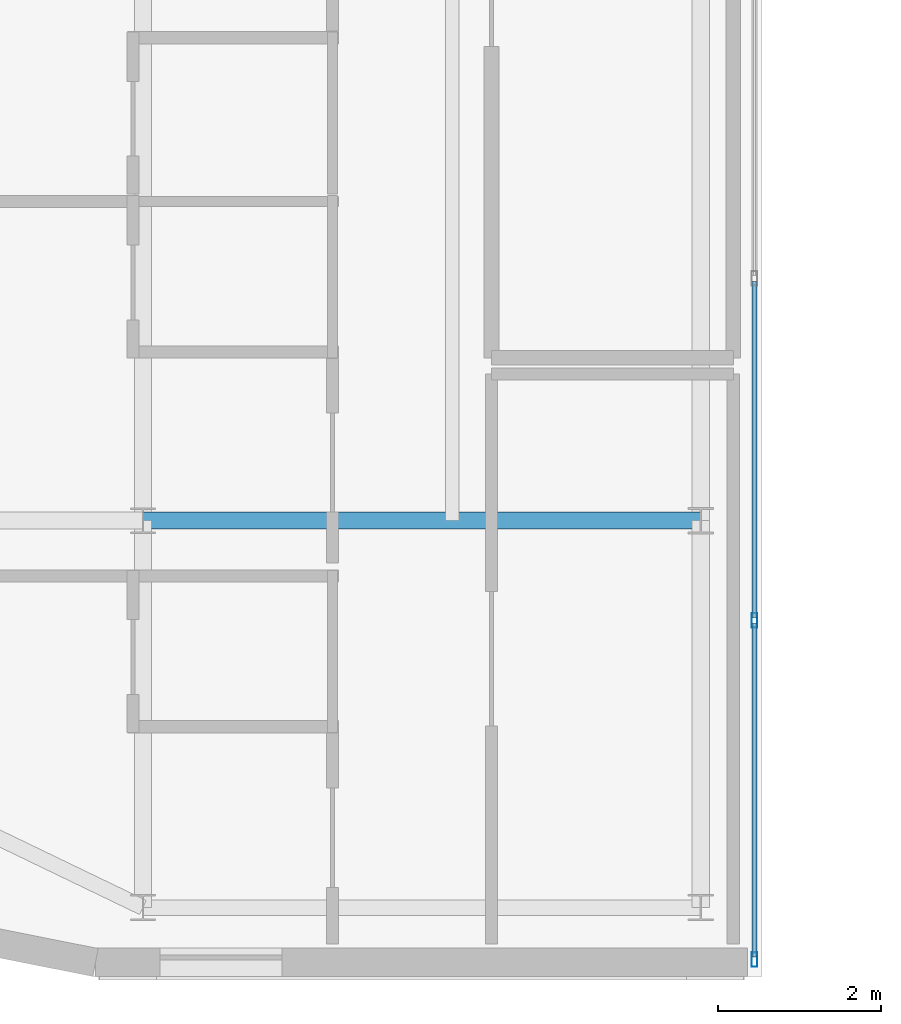
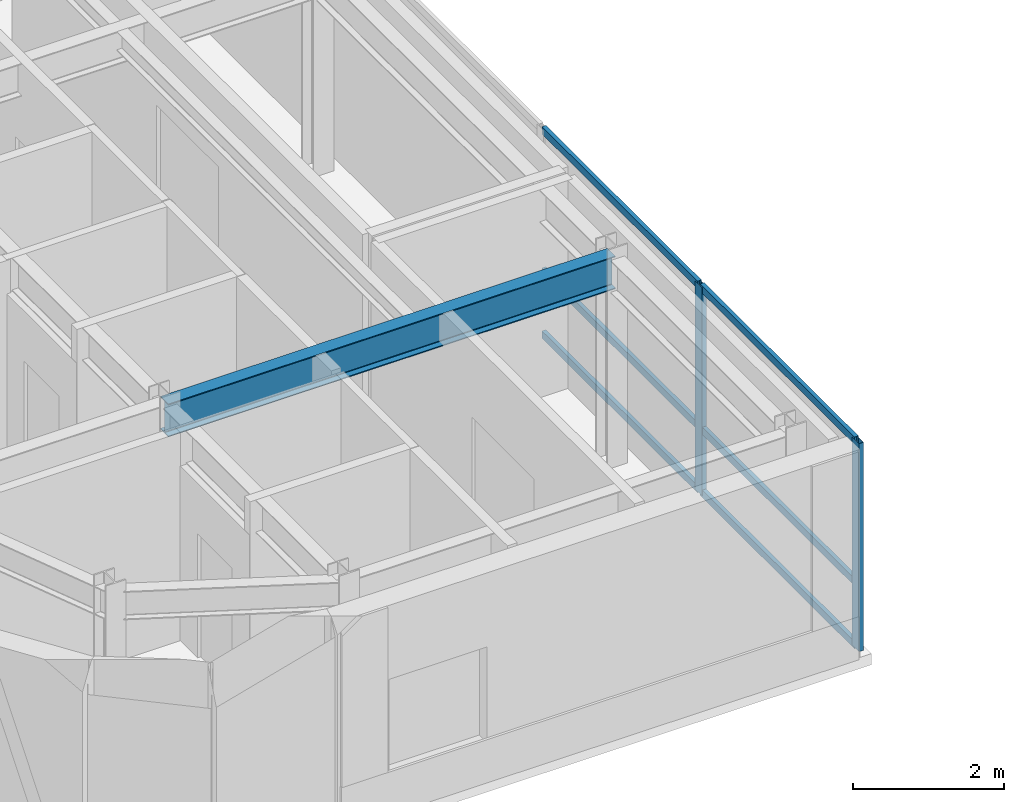
# One storey, part 4 of 20: 8 members, 1 beam, 1 element without a shape of its own.
"""IFC4 building model written with IfcOpenShell, lengths in metres."""

from ifc_helpers import new_model, si_unit, direction, frame, origin, origin_2d, place, context, subcontext, project, spatial, hollow_rectangle, i_section, extrude, source, transform, mapped, material, layer, layer_set, material_profile, profile_set, type_object, type_shapes, element, aggregate, save


model = new_model("IFC4")

# Units and contexts
model_context = context("Model", 3, precision=1e-05, world=origin(), true_north=direction((0.0, 1.0)))
body_context = subcontext(model_context, "Body", "Model", "MODEL_VIEW")
ifc_project = project(units=[si_unit("LENGTHUNIT", "METRE"), si_unit("AREAUNIT", "SQUARE_METRE"), si_unit("VOLUMEUNIT", "CUBIC_METRE"), si_unit("PLANEANGLEUNIT", "RADIAN"), si_unit("MASSUNIT", "GRAM", prefix="KILO")], contexts=[model_context])

# Site, building, storey
site_placement = place(None, origin())
site = spatial("IfcSite", under=ifc_project, at=site_placement, CompositionType="ELEMENT")
building_placement = place(site_placement, origin())
building = spatial("IfcBuilding", under=site, at=building_placement, Name="Tolvann Quenvar Hotel", CompositionType="ELEMENT")
storey_placement = place(building_placement, frame((0.0, 0.0, 248.75)))
storey = spatial("IfcBuildingStorey", under=building, at=storey_placement, Name="L66", CompositionType="ELEMENT", Elevation=248.75)

# Beam
ifc_material_1 = material(Name="Steel Grade 350", Category="steel")
ifc_material_profile_1 = material_profile(ifc_material_1, i_section(OverallWidth=0.208984375, OverallDepth=0.532958984375, WebThickness=0.01025390625, FlangeThickness=0.015625, FilletRadius=0.013916015625, at=origin_2d()), Name="530UB92")
ifc_profile_set_1 = profile_set([ifc_material_profile_1], Name="Steel Grade 350")
beam_type = type_object("IfcBeamType", Name="BM_GIRD_530UB92", PredefinedType="BEAM", material=ifc_profile_set_1)
shared_shape_1 = source(origin(), body_context, "Body", "SweptSolid", [
    extrude(i_section(OverallWidth=0.208984375, OverallDepth=0.532958984375, WebThickness=0.01025390625, FlangeThickness=0.015625, FilletRadius=0.013916015625, at=origin_2d()), origin(), (0.0, 0.0, 1.0), 6.849853515625),
])
type_shapes(beam_type, [shared_shape_1])
beam_placement = place(storey_placement, frame((7.60009765625, 8.199951171875, 3.103515625), z_axis=(1.0, 0.0, 0.0), x_axis=(0.0, 1.0, 0.0)))
element("IfcBeam", 1, at=beam_placement, inside=storey, type_object=beam_type, Name="BM-L66-EW-3-C3-D3", PredefinedType="BEAM", context=body_context, shape_type="MappedRepresentation", body=[
    mapped(shared_shape_1, transform((0.0, 0.0, 0.0), x_axis=(1.0, 0.0, 0.0), y_axis=(0.0, 1.0, 0.0), z_axis=(0.0, 0.0, 1.0), scale=1.0)),
])

# Curtain wall, members
ifc_material_2 = material(Name="Thermally broken anodised architectural aluminium 6063-T6 and laminated low-E glass", Category="aluminium")
ifc_layer = layer(ifc_material_2, 0.179931640625)
ifc_layer_set = layer_set([ifc_layer], Name="Thermally broken anodised architectural aluminium 6063-T6 and laminated low-E glass")
curtain_wall_type = type_object("IfcCurtainWallType", Name="CW_SYS_PORTAL_05", PredefinedType="USERDEFINED", material=ifc_layer_set)
curtain_wall_placement = place(storey_placement, origin())
curtain_wall = element("IfcCurtainWall", 2, at=curtain_wall_placement, inside=storey, type_object=curtain_wall_type, Name="Curtain Wall CW-PORTAL-05 (CWR-L66-E05)", ObjectType="UNITISED CURTAIN WALL", PredefinedType="USERDEFINED")
ifc_material_3 = material(Name="Anodised architectural aluminium 6063-T6 framing", Category="aluminium")
ifc_material_profile_2 = material_profile(ifc_material_3, hollow_rectangle(XDim=0.070068359375, YDim=0.179931640625, WallThickness=0.00390625, at=origin_2d()), Name="180x70x4RHS")
ifc_profile_set_2 = profile_set([ifc_material_profile_2], Name="Anodised architectural aluminium 6063-T6 framing")
member_type_1 = type_object("IfcMemberType", Name="CW_MULL_180x70", PredefinedType="MULLION", material=ifc_profile_set_2)
shared_shape_2 = source(origin(), body_context, "Body", "SweptSolid", [
    extrude(hollow_rectangle(XDim=0.070068359375, YDim=0.179931640625, WallThickness=0.00390625, at=origin_2d()), origin(), (0.0, 0.0, 1.0), 3.3701171875),
])
type_shapes(member_type_1, [shared_shape_2])
member_1_placement = place(storey_placement, frame((15.110107421875, 2.81005859375, 0.0), z_axis=(0.0, 0.0, 1.0), x_axis=(-1.0, 0.0, 0.0)))
member_1 = element("IfcMember", 3, at=member_1_placement, type_object=member_type_1, Name="CW-PORTAL-05 mullion 1", PredefinedType="MULLION", context=body_context, shape_type="MappedRepresentation", body=[
    mapped(shared_shape_2, transform((0.0, 0.0, 0.0), x_axis=(1.0, 0.0, 0.0), y_axis=(0.0, 1.0, 0.0), z_axis=(0.0, 0.0, 1.0), scale=1.0)),
])
member_2_placement = place(storey_placement, frame((15.110107421875, 6.97509765625, 0.0), z_axis=(0.0, 0.0, 1.0), x_axis=(-1.0, 0.0, 0.0)))
member_2 = element("IfcMember", 4, at=member_2_placement, type_object=member_type_1, Name="CW-PORTAL-05 mullion 2", PredefinedType="MULLION", context=body_context, shape_type="MappedRepresentation", body=[
    mapped(shared_shape_2, transform((0.0, 0.0, 0.0), x_axis=(1.0, 0.0, 0.0), y_axis=(0.0, 1.0, 0.0), z_axis=(0.0, 0.0, 1.0), scale=1.0)),
])
ifc_material_profile_3 = material_profile(ifc_material_3, hollow_rectangle(XDim=0.06005859375, YDim=0.1201171875, WallThickness=0.00341796875, at=origin_2d()), Name="120x60x3.5RHS")
ifc_profile_set_3 = profile_set([ifc_material_profile_3], Name="Anodised architectural aluminium 6063-T6 framing")
member_type_2 = type_object("IfcMemberType", Name="CW_TRAN_120x60", PredefinedType="USERDEFINED", material=ifc_profile_set_3)
shared_shape_3 = source(origin(), body_context, "Body", "SweptSolid", [
    extrude(hollow_rectangle(XDim=0.06005859375, YDim=0.1201171875, WallThickness=0.00341796875, at=origin_2d()), origin(), (0.0, 0.0, 1.0), 4.094970703125),
])
member_3_placement = place(storey_placement, frame((15.110107421875, 2.844970703125, 0.030029296875), z_axis=(0.0, 1.0, 0.0), x_axis=(-1.0, 0.0, 0.0)))
member_3 = element("IfcMember", 5, at=member_3_placement, type_object=member_type_2, Name="CW-PORTAL-05 transom 1.1", ObjectType="TRANSOM", PredefinedType="USERDEFINED", context=body_context, shape_type="MappedRepresentation", body=[
    mapped(shared_shape_3, transform((0.0, 0.0, 0.0), x_axis=(1.0, 0.0, 0.0), y_axis=(0.0, 1.0, 0.0), z_axis=(0.0, 0.0, 1.0), scale=1.0)),
])
member_4_placement = place(storey_placement, frame((15.110107421875, 2.844970703125, 1.050048828125), z_axis=(0.0, 1.0, 0.0), x_axis=(-1.0, 0.0, 0.0)))
member_4 = element("IfcMember", 6, at=member_4_placement, type_object=member_type_2, Name="CW-PORTAL-05 transom 1.2", ObjectType="TRANSOM", PredefinedType="USERDEFINED", context=body_context, shape_type="MappedRepresentation", body=[
    mapped(shared_shape_3, transform((0.0, 0.0, 0.0), x_axis=(1.0, 0.0, 0.0), y_axis=(0.0, 1.0, 0.0), z_axis=(0.0, 0.0, 1.0), scale=1.0)),
])
member_5_placement = place(storey_placement, frame((15.110107421875, 2.844970703125, 3.340087890625), z_axis=(0.0, 1.0, 0.0), x_axis=(-1.0, 0.0, 0.0)))
member_5 = element("IfcMember", 7, at=member_5_placement, type_object=member_type_2, Name="CW-PORTAL-05 transom 1.3", ObjectType="TRANSOM", PredefinedType="USERDEFINED", context=body_context, shape_type="MappedRepresentation", body=[
    mapped(shared_shape_3, transform((0.0, 0.0, 0.0), x_axis=(1.0, 0.0, 0.0), y_axis=(0.0, 1.0, 0.0), z_axis=(0.0, 0.0, 1.0), scale=1.0)),
])
shared_shape_4 = source(origin(), body_context, "Body", "SweptSolid", [
    extrude(hollow_rectangle(XDim=0.06005859375, YDim=0.1201171875, WallThickness=0.00341796875, at=origin_2d()), origin(), (0.0, 0.0, 1.0), 4.1298828125),
])
type_shapes(member_type_2, [shared_shape_3, shared_shape_4])
member_6_placement = place(storey_placement, frame((15.110107421875, 7.010009765625, 0.030029296875), z_axis=(0.0, 1.0, 0.0), x_axis=(-1.0, 0.0, 0.0)))
member_6 = element("IfcMember", 8, at=member_6_placement, type_object=member_type_2, Name="CW-PORTAL-05 transom 2.1", ObjectType="TRANSOM", PredefinedType="USERDEFINED", context=body_context, shape_type="MappedRepresentation", body=[
    mapped(shared_shape_4, transform((0.0, 0.0, 0.0), x_axis=(1.0, 0.0, 0.0), y_axis=(0.0, 1.0, 0.0), z_axis=(0.0, 0.0, 1.0), scale=1.0)),
])
member_7_placement = place(storey_placement, frame((15.110107421875, 7.010009765625, 1.050048828125), z_axis=(0.0, 1.0, 0.0), x_axis=(-1.0, 0.0, 0.0)))
member_7 = element("IfcMember", 9, at=member_7_placement, type_object=member_type_2, Name="CW-PORTAL-05 transom 2.2", ObjectType="TRANSOM", PredefinedType="USERDEFINED", context=body_context, shape_type="MappedRepresentation", body=[
    mapped(shared_shape_4, transform((0.0, 0.0, 0.0), x_axis=(1.0, 0.0, 0.0), y_axis=(0.0, 1.0, 0.0), z_axis=(0.0, 0.0, 1.0), scale=1.0)),
])
member_8_placement = place(storey_placement, frame((15.110107421875, 7.010009765625, 3.340087890625), z_axis=(0.0, 1.0, 0.0), x_axis=(-1.0, 0.0, 0.0)))
member_8 = element("IfcMember", 10, at=member_8_placement, type_object=member_type_2, Name="CW-PORTAL-05 transom 2.3", ObjectType="TRANSOM", PredefinedType="USERDEFINED", context=body_context, shape_type="MappedRepresentation", body=[
    mapped(shared_shape_4, transform((0.0, 0.0, 0.0), x_axis=(1.0, 0.0, 0.0), y_axis=(0.0, 1.0, 0.0), z_axis=(0.0, 0.0, 1.0), scale=1.0)),
])
aggregate(curtain_wall, [member_1, member_2, member_3, member_4, member_5, member_6, member_7, member_8])

save(model, "model.ifc")
